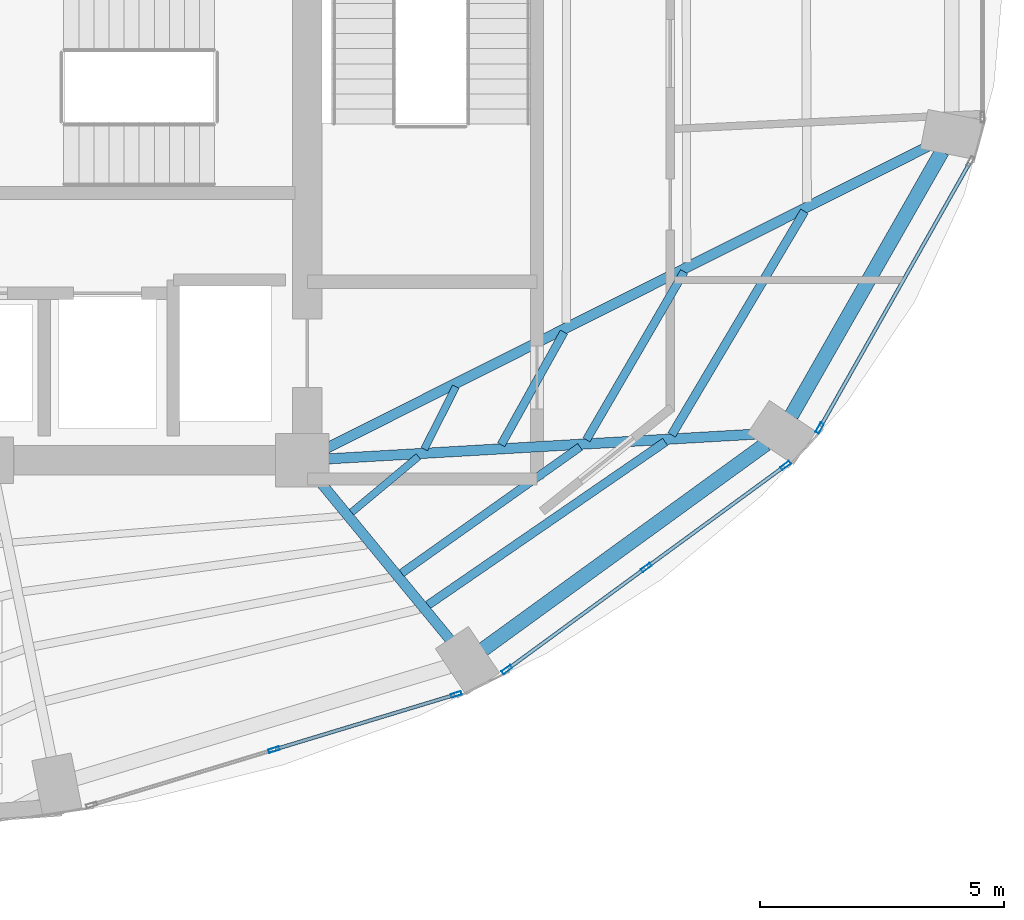
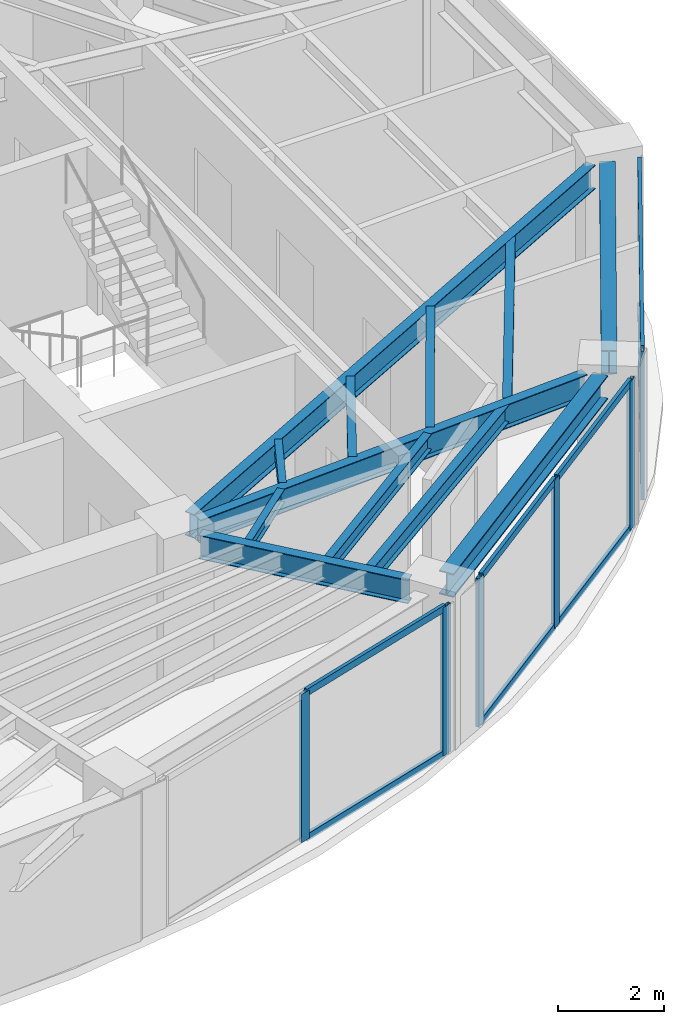
# One storey, part 9 of 20: 14 members, 12 beams, 3 elements without a shape of their own.
"""IFC4 building model written with IfcOpenShell, lengths in metres."""

from ifc_helpers import new_model, si_unit, direction, frame, origin, origin_2d, place, context, subcontext, project, spatial, hollow_rectangle, i_section, extrude, material, layer, layer_set, material_profile, profile_set, type_object, element, aggregate, save


model = new_model("IFC4")

# Units and contexts
model_context = context("Model", 3, precision=1e-05, world=origin(), true_north=direction((0.0, 1.0)))
body_context = subcontext(model_context, "Body", "Model", "MODEL_VIEW")
ifc_project = project(units=[si_unit("LENGTHUNIT", "METRE"), si_unit("AREAUNIT", "SQUARE_METRE"), si_unit("VOLUMEUNIT", "CUBIC_METRE"), si_unit("PLANEANGLEUNIT", "RADIAN"), si_unit("MASSUNIT", "GRAM", prefix="KILO")], contexts=[model_context])

# Site, building, storey
site_placement = place(None, origin())
site = spatial("IfcSite", under=ifc_project, at=site_placement, CompositionType="ELEMENT")
building_placement = place(site_placement, origin())
building = spatial("IfcBuilding", under=site, at=building_placement, Name="Lazwardi Medical Tower", CompositionType="ELEMENT")
storey_placement = place(building_placement, frame((0.0, 0.0, 141.93603515625)))
storey = spatial("IfcBuildingStorey", under=building, at=storey_placement, Name="L36", CompositionType="ELEMENT", Elevation=141.93603515625)

# Beams
ifc_material_1 = material(Name="Steel S355", Category="steel")
ifc_material_profile_1 = material_profile(ifc_material_1, i_section(OverallWidth=0.300048828125, OverallDepth=0.550048828125, WebThickness=0.014892578125, FlangeThickness=0.029052734375, at=origin_2d()), Name="HEB 550")
ifc_profile_set_1 = profile_set([ifc_material_profile_1], Name="Steel S355")
beam_type_1 = type_object("IfcBeamType", Name="BM-RB-Z3", PredefinedType="BEAM", material=ifc_profile_set_1)
beam_1_placement = place(storey_placement, frame((49.310302734375, 16.520751953125, 3.153076171875), z_axis=(0.809127570774, 0.587633026824, 0.0), x_axis=(-0.587633026824, 0.809127570774, 0.0)))
element("IfcBeam", 1, at=beam_1_placement, inside=storey, type_object=beam_type_1, Name="Ring beam RB-04 B02 L36", PredefinedType="BEAM", context=body_context, shape_type="SweptSolid", body=[
    extrude(i_section(OverallWidth=0.300048828125, OverallDepth=0.550048828125, WebThickness=0.014892578125, FlangeThickness=0.029052734375, at=origin_2d()), origin(), (0.0, 0.0, 1.0), 7.170166015625),
])
beam_2_placement = place(storey_placement, frame((55.6337890625, 21.316650390625, 3.153076171875), z_axis=(0.495477752551, 0.868620628771, 0.0), x_axis=(-0.868620628771, 0.495477752551, 0.0)))
element("IfcBeam", 2, at=beam_2_placement, inside=storey, type_object=beam_type_1, Name="Ring beam RB-04 B03 L36", PredefinedType="BEAM", context=body_context, shape_type="SweptSolid", body=[
    extrude(i_section(OverallWidth=0.300048828125, OverallDepth=0.550048828125, WebThickness=0.014892578125, FlangeThickness=0.029052734375, at=origin_2d()), origin(), (0.0, 0.0, 1.0), 6.244384765625),
])
ifc_material_profile_2 = material_profile(ifc_material_1, i_section(OverallWidth=0.2099609375, OverallDepth=0.550048828125, WebThickness=0.010986328125, FlangeThickness=0.01708984375, at=origin_2d()), Name="IPE 550")
ifc_profile_set_2 = profile_set([ifc_material_profile_2], Name="Steel S355")
beam_type_2 = type_object("IfcBeamType", Name="BM-RG-W2", PredefinedType="BEAM", material=ifc_profile_set_2)
beam_3_placement = place(storey_placement, frame((48.630615234375, 16.71826171875, 3.153076171875), z_axis=(-0.635555639966, 0.772055068312, 0.0), x_axis=(-0.772055068312, -0.635555639966, 0.0)))
element("IfcBeam", 3, at=beam_3_placement, inside=storey, type_object=beam_type_2, Name="Radial girder RG-03 R02 L36", PredefinedType="BEAM", context=body_context, shape_type="SweptSolid", body=[
    extrude(i_section(OverallWidth=0.2099609375, OverallDepth=0.550048828125, WebThickness=0.010986328125, FlangeThickness=0.01708984375, at=origin_2d()), origin(), (0.0, 0.0, 1.0), 4.233642578125),
])
beam_4_placement = place(storey_placement, frame((54.87646484375, 20.936767578125, 3.153076171875), z_axis=(-0.998330154646, -0.057765927014, 0.0), x_axis=(0.057765927014, -0.998330154646, 0.0)))
element("IfcBeam", 4, at=beam_4_placement, inside=storey, type_object=beam_type_2, Name="Radial girder RG-03 R03 L36", PredefinedType="BEAM", context=body_context, shape_type="SweptSolid", body=[
    extrude(i_section(OverallWidth=0.2099609375, OverallDepth=0.550048828125, WebThickness=0.010986328125, FlangeThickness=0.01708984375, at=origin_2d()), origin(), (0.0, 0.0, 1.0), 8.757080078125),
])
beam_5_placement = place(storey_placement, frame((58.42529296875, 26.837158203125, 3.153076171875), z_axis=(-0.893740468624, -0.448584412061, 0.0), x_axis=(0.448584412061, -0.893740468624, 0.0)))
element("IfcBeam", 5, at=beam_5_placement, inside=storey, type_object=beam_type_2, Name="Radial girder RG-03 R04 L36", PredefinedType="BEAM", context=body_context, shape_type="SweptSolid", body=[
    extrude(i_section(OverallWidth=0.2099609375, OverallDepth=0.550048828125, WebThickness=0.010986328125, FlangeThickness=0.01708984375, at=origin_2d()), origin(), (0.0, 0.0, 1.0), 13.815185546875),
])
ifc_material_profile_3 = material_profile(ifc_material_1, i_section(OverallWidth=0.179931640625, OverallDepth=0.39990234375, WebThickness=0.008544921875, FlangeThickness=0.013427734375, at=origin_2d()), Name="IPE 400")
ifc_profile_set_3 = profile_set([ifc_material_profile_3], Name="Steel S355")
beam_type_3 = type_object("IfcBeamType", Name="BM-SJ-01", PredefinedType="JOIST", material=ifc_profile_set_3)
beam_6_placement = place(storey_placement, frame((48.1748046875, 17.4287109375, 3.22802734375), z_axis=(0.823932256005, 0.566688307198, 0.0), x_axis=(-0.566688307198, 0.823932256005, 0.0)))
element("IfcBeam", 6, at=beam_6_placement, inside=storey, type_object=beam_type_3, Name="Secondary joist SJ-01 R1 B02 L36", PredefinedType="JOIST", context=body_context, shape_type="SweptSolid", body=[
    extrude(i_section(OverallWidth=0.179931640625, OverallDepth=0.39990234375, WebThickness=0.008544921875, FlangeThickness=0.013427734375, at=origin_2d()), origin(), (0.0, 0.0, 1.0), 5.91162109375),
])
beam_7_placement = place(storey_placement, frame((53.17919921875, 20.921630859375, 3.22802734375), z_axis=(0.510569396963, 0.859836548935, 0.0), x_axis=(-0.859836548935, 0.510569396963, 0.0)))
element("IfcBeam", 7, at=beam_7_placement, inside=storey, type_object=beam_type_3, Name="Secondary joist SJ-01 R1 B03 L36", PredefinedType="JOIST", context=body_context, shape_type="SweptSolid", body=[
    extrude(i_section(OverallWidth=0.179931640625, OverallDepth=0.39990234375, WebThickness=0.008544921875, FlangeThickness=0.013427734375, at=origin_2d()), origin(), (0.0, 0.0, 1.0), 5.33837890625),
])
ifc_material_profile_4 = material_profile(ifc_material_1, i_section(OverallWidth=0.169921875, OverallDepth=0.360107421875, WebThickness=0.008056640625, FlangeThickness=0.0126953125, at=origin_2d()), Name="IPE 360")
ifc_profile_set_4 = profile_set([ifc_material_profile_4], Name="Steel S355")
beam_type_4 = type_object("IfcBeamType", Name="BM-SJ-02", PredefinedType="JOIST", material=ifc_profile_set_4)
beam_8_placement = place(storey_placement, frame((47.635986328125, 18.08349609375, 3.248046875), z_axis=(0.816108950798, 0.577898070967, 0.0), x_axis=(-0.577898070967, 0.816108950798, 0.0)))
element("IfcBeam", 8, at=beam_8_placement, inside=storey, type_object=beam_type_4, Name="Secondary joist SJ-02 R2 B02 L36", PredefinedType="JOIST", context=body_context, shape_type="SweptSolid", body=[
    extrude(i_section(OverallWidth=0.169921875, OverallDepth=0.360107421875, WebThickness=0.008056640625, FlangeThickness=0.0126953125, at=origin_2d()), origin(), (0.0, 0.0, 1.0), 4.487060546875),
])
beam_9_placement = place(storey_placement, frame((51.4296875, 20.82080078125, 3.248046875), z_axis=(0.502665102216, 0.864481228839, 0.0), x_axis=(-0.864481228839, 0.502665102216, 0.0)))
element("IfcBeam", 9, at=beam_9_placement, inside=storey, type_object=beam_type_4, Name="Secondary joist SJ-02 R2 B03 L36", PredefinedType="JOIST", context=body_context, shape_type="SweptSolid", body=[
    extrude(i_section(OverallWidth=0.169921875, OverallDepth=0.360107421875, WebThickness=0.008056640625, FlangeThickness=0.0126953125, at=origin_2d()), origin(), (0.0, 0.0, 1.0), 3.991943359375),
])
beam_10_placement = place(storey_placement, frame((49.6796875, 20.720703125, 3.248046875), z_axis=(0.487099444348, 0.87334651274, 0.0), x_axis=(-0.87334651274, 0.487099444348, 0.0)))
element("IfcBeam", 10, at=beam_10_placement, inside=storey, type_object=beam_type_4, Name="Secondary joist SJ-02 R3 B03 L36", PredefinedType="JOIST", context=body_context, shape_type="SweptSolid", body=[
    extrude(i_section(OverallWidth=0.169921875, OverallDepth=0.360107421875, WebThickness=0.008056640625, FlangeThickness=0.0126953125, at=origin_2d()), origin(), (0.0, 0.0, 1.0), 2.64599609375),
])
ifc_material_profile_5 = material_profile(ifc_material_1, i_section(OverallWidth=0.14990234375, OverallDepth=0.300048828125, WebThickness=0.007080078125, FlangeThickness=0.0107421875, at=origin_2d()), Name="IPE 300")
ifc_profile_set_5 = profile_set([ifc_material_profile_5], Name="Steel S355")
beam_type_5 = type_object("IfcBeamType", Name="BM-SJ-03", PredefinedType="JOIST", material=ifc_profile_set_5)
beam_11_placement = place(storey_placement, frame((46.608642578125, 19.331787109375, 3.278076171875), z_axis=(0.767437193893, 0.641124132621, 0.0), x_axis=(-0.641124132621, 0.767437193893, 0.0)))
element("IfcBeam", 11, at=beam_11_placement, inside=storey, type_object=beam_type_5, Name="Secondary joist SJ-03 R4 B02 L36", PredefinedType="JOIST", context=body_context, shape_type="SweptSolid", body=[
    extrude(i_section(OverallWidth=0.14990234375, OverallDepth=0.300048828125, WebThickness=0.007080078125, FlangeThickness=0.0107421875, at=origin_2d()), origin(), (0.0, 0.0, 1.0), 1.787841796875),
])
beam_12_placement = place(storey_placement, frame((48.1025390625, 20.631591796875, 3.278076171875), z_axis=(0.450406075332, 0.892823816497, 0.0), x_axis=(-0.892823816497, 0.450406075332, 0.0)))
element("IfcBeam", 12, at=beam_12_placement, inside=storey, type_object=beam_type_5, Name="Secondary joist SJ-03 R4 B03 L36", PredefinedType="JOIST", context=body_context, shape_type="SweptSolid", body=[
    extrude(i_section(OverallWidth=0.14990234375, OverallDepth=0.300048828125, WebThickness=0.007080078125, FlangeThickness=0.0107421875, at=origin_2d()), origin(), (0.0, 0.0, 1.0), 1.4365234375),
])

# Curtain wall, members
ifc_material_2 = material(Name="Anodised bronze aluminium and solar control glazing", Category="aluminium")
ifc_layer = layer(ifc_material_2, 0.195068359375)
ifc_layer_set = layer_set([ifc_layer], Name="Anodised bronze aluminium and solar control glazing")
curtain_wall_type = type_object("IfcCurtainWallType", Name="CW-SYS-03", PredefinedType="NOTDEFINED", material=ifc_layer_set)
curtain_wall_1_placement = place(storey_placement, origin())
curtain_wall_1 = element("IfcCurtainWall", 13, at=curtain_wall_1_placement, inside=storey, type_object=curtain_wall_type, Name="L36 Unitised bronze curtain wall CW-03", PredefinedType="NOTDEFINED")
ifc_material_3 = material(Name="Anodised bronze aluminium", Category="aluminium")
ifc_material_profile_6 = material_profile(ifc_material_3, hollow_rectangle(XDim=0.074951171875, YDim=0.219970703125, WallThickness=0.00390625, at=origin_2d()), Name="ALU-MULLION 220x75x4")
ifc_profile_set_6 = profile_set([ifc_material_profile_6], Name="Anodised bronze aluminium")
member_type_1 = type_object("IfcMemberType", Name="CW-MUL-01", PredefinedType="MULLION", material=ifc_profile_set_6)
member_1_placement = place(storey_placement, frame((45.01513671875, 14.461181640625, 0.0), z_axis=(0.0, 0.0, 1.0), x_axis=(-0.290280785441, 0.956941516292, 0.0)))
member_1 = element("IfcMember", 14, at=member_1_placement, type_object=member_type_1, Name="CW-03 mullion 2", PredefinedType="MULLION", context=body_context, shape_type="SweptSolid", body=[
    extrude(hollow_rectangle(XDim=0.074951171875, YDim=0.219970703125, WallThickness=0.00390625, at=origin_2d()), origin(), (0.0, 0.0, 1.0), 3.427978515625),
])
member_2_placement = place(storey_placement, frame((48.758056640625, 15.5966796875, 0.0), z_axis=(0.0, 0.0, 1.0), x_axis=(-0.290280785441, 0.956941516292, 0.0)))
member_2 = element("IfcMember", 15, at=member_2_placement, type_object=member_type_1, Name="CW-03 mullion 3", PredefinedType="MULLION", context=body_context, shape_type="SweptSolid", body=[
    extrude(hollow_rectangle(XDim=0.074951171875, YDim=0.219970703125, WallThickness=0.00390625, at=origin_2d()), origin(), (0.0, 0.0, 1.0), 3.427978515625),
])

curtain_wall_2_placement = place(storey_placement, origin())
curtain_wall_2 = element("IfcCurtainWall", 16, at=curtain_wall_2_placement, inside=storey, type_object=curtain_wall_type, Name="L36 Unitised bronze curtain wall CW-03", PredefinedType="NOTDEFINED")
member_3_placement = place(storey_placement, frame((49.795654296875, 16.105224609375, 0.0), z_axis=(0.0, 0.0, 1.0), x_axis=(-0.590833862635, 0.806793249082, 0.0)))
member_3 = element("IfcMember", 17, at=member_3_placement, type_object=member_type_1, Name="CW-03 mullion 1", PredefinedType="MULLION", context=body_context, shape_type="SweptSolid", body=[
    extrude(hollow_rectangle(XDim=0.074951171875, YDim=0.219970703125, WallThickness=0.00390625, at=origin_2d()), origin(), (0.0, 0.0, 1.0), 3.427978515625),
])
member_4_placement = place(storey_placement, frame((52.65771484375, 18.201171875, 0.0), z_axis=(0.0, 0.0, 1.0), x_axis=(-0.590833862635, 0.806793249082, 0.0)))
member_4 = element("IfcMember", 18, at=member_4_placement, type_object=member_type_1, Name="CW-03 mullion 2", PredefinedType="MULLION", context=body_context, shape_type="SweptSolid", body=[
    extrude(hollow_rectangle(XDim=0.074951171875, YDim=0.219970703125, WallThickness=0.00390625, at=origin_2d()), origin(), (0.0, 0.0, 1.0), 3.427978515625),
])
member_5_placement = place(storey_placement, frame((55.519775390625, 20.297119140625, 0.0), z_axis=(0.0, 0.0, 1.0), x_axis=(-0.590833862635, 0.806793249082, 0.0)))
member_5 = element("IfcMember", 19, at=member_5_placement, type_object=member_type_1, Name="CW-03 mullion 3", PredefinedType="MULLION", context=body_context, shape_type="SweptSolid", body=[
    extrude(hollow_rectangle(XDim=0.074951171875, YDim=0.219970703125, WallThickness=0.00390625, at=origin_2d()), origin(), (0.0, 0.0, 1.0), 3.427978515625),
])

# Curtain wall, member
curtain_wall_3_placement = place(storey_placement, origin())
curtain_wall_3 = element("IfcCurtainWall", 20, at=curtain_wall_3_placement, inside=storey, type_object=curtain_wall_type, Name="L36 Unitised bronze curtain wall CW-03", PredefinedType="NOTDEFINED")
member_6_placement = place(storey_placement, frame((56.217529296875, 21.063232421875, 0.0), z_axis=(0.0, 0.0, 1.0), x_axis=(-0.870418989303, 0.492311672683, 0.0)))
member_6 = element("IfcMember", 21, at=member_6_placement, type_object=member_type_1, Name="CW-03 mullion 1", PredefinedType="MULLION", context=body_context, shape_type="SweptSolid", body=[
    extrude(hollow_rectangle(XDim=0.074951171875, YDim=0.219970703125, WallThickness=0.00390625, at=origin_2d()), origin(), (0.0, 0.0, 1.0), 3.427978515625),
])

# Member
ifc_material_profile_7 = material_profile(ifc_material_3, hollow_rectangle(XDim=0.074951171875, YDim=0.159912109375, WallThickness=0.00390625, at=origin_2d()), Name="ALU-TRANSOM 160x75x4")
ifc_profile_set_7 = profile_set([ifc_material_profile_7], Name="Anodised bronze aluminium")
member_type_2 = type_object("IfcMemberType", Name="CW-TRN-01", PredefinedType="USERDEFINED", material=ifc_profile_set_7)
member_7_placement = place(storey_placement, frame((45.051025390625, 14.47216796875, 0.037353515625), z_axis=(0.956930154175, 0.290318239233, 0.0), x_axis=(-0.290318239233, 0.956930154175, 0.0)))
member_7 = element("IfcMember", 22, at=member_7_placement, type_object=member_type_2, Name="CW-03 transom 2.1", ObjectType="TRANSOM", PredefinedType="USERDEFINED", context=body_context, shape_type="SweptSolid", body=[
    extrude(hollow_rectangle(XDim=0.074951171875, YDim=0.159912109375, WallThickness=0.00390625, at=origin_2d()), origin(), (0.0, 0.0, 1.0), 3.83642578125),
])

member_8_placement = place(storey_placement, frame((45.051025390625, 14.47216796875, 3.390380859375), z_axis=(0.956930154175, 0.290318239233, 0.0), x_axis=(-0.290318239233, 0.956930154175, 0.0)))
member_8 = element("IfcMember", 23, at=member_8_placement, type_object=member_type_2, Name="CW-03 transom 2.2", ObjectType="TRANSOM", PredefinedType="USERDEFINED", context=body_context, shape_type="SweptSolid", body=[
    extrude(hollow_rectangle(XDim=0.074951171875, YDim=0.159912109375, WallThickness=0.00390625, at=origin_2d()), origin(), (0.0, 0.0, 1.0), 3.83642578125),
])

aggregate(curtain_wall_1, [member_1, member_2, member_7, member_8])

member_9_placement = place(storey_placement, frame((49.825927734375, 16.127197265625, 0.037353515625), z_axis=(0.806773646358, 0.590860629542, 0.0), x_axis=(-0.590860629542, 0.806773646358, 0.0)))
member_9 = element("IfcMember", 24, at=member_9_placement, type_object=member_type_2, Name="CW-03 transom 1.1", ObjectType="TRANSOM", PredefinedType="USERDEFINED", context=body_context, shape_type="SweptSolid", body=[
    extrude(hollow_rectangle(XDim=0.074951171875, YDim=0.159912109375, WallThickness=0.00390625, at=origin_2d()), origin(), (0.0, 0.0, 1.0), 3.472412109375),
])

member_10_placement = place(storey_placement, frame((49.825927734375, 16.127197265625, 3.390380859375), z_axis=(0.806773646358, 0.590860629542, 0.0), x_axis=(-0.590860629542, 0.806773646358, 0.0)))
member_10 = element("IfcMember", 25, at=member_10_placement, type_object=member_type_2, Name="CW-03 transom 1.2", ObjectType="TRANSOM", PredefinedType="USERDEFINED", context=body_context, shape_type="SweptSolid", body=[
    extrude(hollow_rectangle(XDim=0.074951171875, YDim=0.159912109375, WallThickness=0.00390625, at=origin_2d()), origin(), (0.0, 0.0, 1.0), 3.472412109375),
])

member_11_placement = place(storey_placement, frame((52.68798828125, 18.22314453125, 0.037353515625), z_axis=(0.806773646358, 0.590860629542, 0.0), x_axis=(-0.590860629542, 0.806773646358, 0.0)))
member_11 = element("IfcMember", 26, at=member_11_placement, type_object=member_type_2, Name="CW-03 transom 2.1", ObjectType="TRANSOM", PredefinedType="USERDEFINED", context=body_context, shape_type="SweptSolid", body=[
    extrude(hollow_rectangle(XDim=0.074951171875, YDim=0.159912109375, WallThickness=0.00390625, at=origin_2d()), origin(), (0.0, 0.0, 1.0), 3.472412109375),
])

member_12_placement = place(storey_placement, frame((52.68798828125, 18.22314453125, 3.390380859375), z_axis=(0.806773646358, 0.590860629542, 0.0), x_axis=(-0.590860629542, 0.806773646358, 0.0)))
member_12 = element("IfcMember", 27, at=member_12_placement, type_object=member_type_2, Name="CW-03 transom 2.2", ObjectType="TRANSOM", PredefinedType="USERDEFINED", context=body_context, shape_type="SweptSolid", body=[
    extrude(hollow_rectangle(XDim=0.074951171875, YDim=0.159912109375, WallThickness=0.00390625, at=origin_2d()), origin(), (0.0, 0.0, 1.0), 3.472412109375),
])

aggregate(curtain_wall_2, [member_3, member_4, member_5, member_9, member_10, member_11, member_12])

member_13_placement = place(storey_placement, frame((56.236083984375, 21.095947265625, 0.037353515625), z_axis=(0.492322860598, 0.870412661289, 0.0), x_axis=(-0.870412661289, 0.492322860598, 0.0)))
member_13 = element("IfcMember", 28, at=member_13_placement, type_object=member_type_2, Name="CW-03 transom 1.1", ObjectType="TRANSOM", PredefinedType="USERDEFINED", context=body_context, shape_type="SweptSolid", body=[
    extrude(hollow_rectangle(XDim=0.074951171875, YDim=0.159912109375, WallThickness=0.00390625, at=origin_2d()), origin(), (0.0, 0.0, 1.0), 6.20849609375),
])

member_14_placement = place(storey_placement, frame((56.236083984375, 21.095947265625, 3.390380859375), z_axis=(0.492322860598, 0.870412661289, 0.0), x_axis=(-0.870412661289, 0.492322860598, 0.0)))
member_14 = element("IfcMember", 29, at=member_14_placement, type_object=member_type_2, Name="CW-03 transom 1.2", ObjectType="TRANSOM", PredefinedType="USERDEFINED", context=body_context, shape_type="SweptSolid", body=[
    extrude(hollow_rectangle(XDim=0.074951171875, YDim=0.159912109375, WallThickness=0.00390625, at=origin_2d()), origin(), (0.0, 0.0, 1.0), 6.20849609375),
])

aggregate(curtain_wall_3, [member_6, member_13, member_14])

save(model, "model.ifc")
